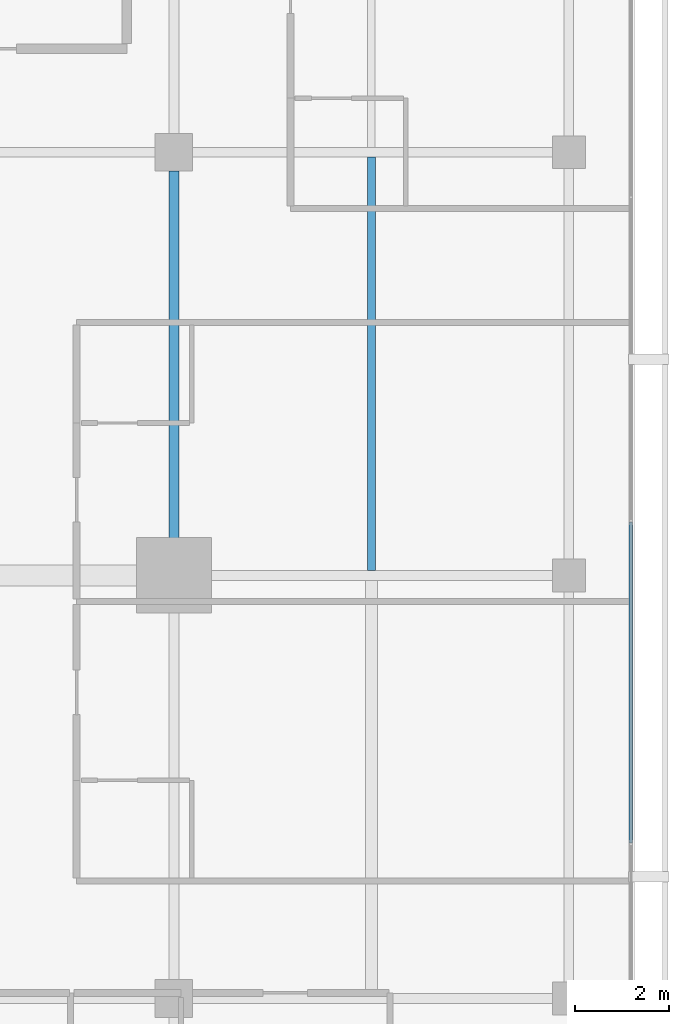
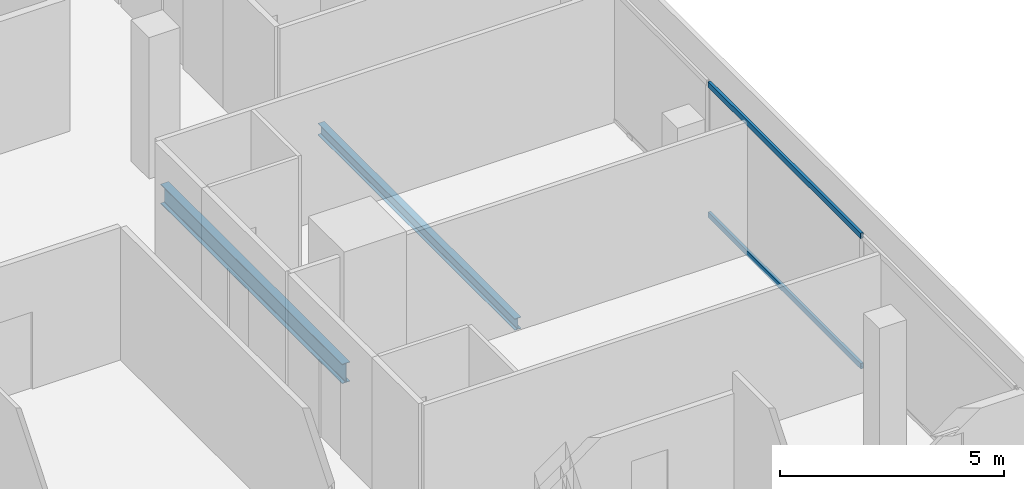
# One storey, part 13 of 25: 2 beams, 2 members, 1 element without a shape of its own.
"""IFC4 building model written with IfcOpenShell, lengths in metres."""

from ifc_helpers import new_model, si_unit, direction, frame, origin, origin_2d, place, context, subcontext, project, spatial, hollow_rectangle, i_section, extrude, material, layer, layer_set, material_profile, profile_set, type_object, element, aggregate, save


model = new_model("IFC4")

# Units and contexts
model_context = context("Model", 3, precision=1e-05, world=origin(), true_north=direction((0.0, 1.0)))
body_context = subcontext(model_context, "Body", "Model", "MODEL_VIEW")
ifc_project = project(units=[si_unit("LENGTHUNIT", "METRE"), si_unit("AREAUNIT", "SQUARE_METRE"), si_unit("VOLUMEUNIT", "CUBIC_METRE"), si_unit("PLANEANGLEUNIT", "RADIAN"), si_unit("MASSUNIT", "GRAM", prefix="KILO")], contexts=[model_context])

# Site, building, storey
site_placement = place(None, origin())
site = spatial("IfcSite", under=ifc_project, at=site_placement, CompositionType="ELEMENT")
building_placement = place(site_placement, origin())
building = spatial("IfcBuilding", under=site, at=building_placement, Name="Maruvema Waterfront Hotel and Observation Tower", CompositionType="ELEMENT")
storey_placement = place(building_placement, frame((0.0, 0.0, 270.199951171875)))
storey = spatial("IfcBuildingStorey", under=building, at=storey_placement, Name="L66", CompositionType="ELEMENT", Elevation=270.199951171875)

# Curtain wall, members
ifc_material_1 = material(Name="Anodised bronze aluminium and solar-control low-E IGU", Category="aluminium")
ifc_layer = layer(ifc_material_1, 0.159912109375, Name="Zone 3 Champagne Inner Thermal Curtain Wall System CW-04")
ifc_layer_set = layer_set([ifc_layer], Name="Anodised bronze aluminium and solar-control low-E IGU")
curtain_wall_type = type_object("IfcCurtainWallType", Name="Zone 3 Champagne Inner Thermal Curtain Wall System CW-04", PredefinedType="USERDEFINED", material=ifc_layer_set)
curtain_wall_placement = place(storey_placement, origin())
curtain_wall = element("IfcCurtainWall", 1, at=curtain_wall_placement, inside=storey, type_object=curtain_wall_type, Name="L66 Curtain Wall CW-L66-E", ObjectType="UNITISED CURTAIN WALL", PredefinedType="USERDEFINED")
ifc_material_2 = material(Name="Anodised architectural bronze aluminium", Category="aluminium")
ifc_material_profile_1 = material_profile(ifc_material_2, hollow_rectangle(XDim=0.070068359375, YDim=0.14990234375, WallThickness=0.00390625, at=origin_2d()), Name="ALU-T70x150")
ifc_profile_set_1 = profile_set([ifc_material_profile_1], Name="Anodised architectural bronze aluminium")
member_type = type_object("IfcMemberType", Name="Curtain Wall Horizontal Transom ALU-T70x150", PredefinedType="USERDEFINED", material=ifc_profile_set_1)
member_1_placement = place(storey_placement, frame((60.1201171875, 21.31005859375, 0.030029296875), z_axis=(0.0, 1.0, 0.0), x_axis=(-1.0, 0.0, 0.0)))
member_1 = element("IfcMember", 2, at=member_1_placement, type_object=member_type, Name="CW-04 transom 2.1", ObjectType="TRANSOM", PredefinedType="USERDEFINED", context=body_context, shape_type="SweptSolid", body=[
    extrude(hollow_rectangle(XDim=0.070068359375, YDim=0.14990234375, WallThickness=0.00390625, at=origin_2d()), origin(), (0.0, 0.0, 1.0), 6.81982421875),
])
member_2_placement = place(storey_placement, frame((60.1201171875, 21.31005859375, 3.580078125), z_axis=(0.0, 1.0, 0.0), x_axis=(-1.0, 0.0, 0.0)))
member_2 = element("IfcMember", 3, at=member_2_placement, type_object=member_type, Name="CW-04 transom 2.2", ObjectType="TRANSOM", PredefinedType="USERDEFINED", context=body_context, shape_type="SweptSolid", body=[
    extrude(hollow_rectangle(XDim=0.070068359375, YDim=0.14990234375, WallThickness=0.00390625, at=origin_2d()), origin(), (0.0, 0.0, 1.0), 6.81982421875),
])
aggregate(curtain_wall, [member_1, member_2])

# Beams
ifc_material_3 = material(Name="Steel ASTM A572 Grade 50", Category="steel")
ifc_material_profile_2 = material_profile(ifc_material_3, i_section(OverallWidth=0.208984375, OverallDepth=0.532958984375, WebThickness=0.01025390625, FlangeThickness=0.015625, FilletRadius=0.014892578125, at=origin_2d()), Name="W530x92.0")
ifc_profile_set_2 = profile_set([ifc_material_profile_2], Name="Steel ASTM A572 Grade 50")
beam_type_1 = type_object("IfcBeamType", Name="Primary Floor Girder W530x92.0", PredefinedType="BEAM", material=ifc_profile_set_2)
beam_1_placement = place(storey_placement, frame((50.39990234375, 27.5, -0.50634765625), z_axis=(0.0, 1.0, 0.0), x_axis=(-1.0, 0.0, 0.0)))
element("IfcBeam", 4, at=beam_1_placement, inside=storey, type_object=beam_type_1, Name="L66 Floor Girder NS-14", PredefinedType="BEAM", context=body_context, shape_type="SweptSolid", body=[
    extrude(i_section(OverallWidth=0.208984375, OverallDepth=0.532958984375, WebThickness=0.01025390625, FlangeThickness=0.015625, FilletRadius=0.014892578125, at=origin_2d()), origin(), (0.0, 0.0, 1.0), 8.10009765625),
])
ifc_material_4 = material(Name="Steel ASTM A572 Grade 50", Category="steel")
ifc_material_profile_3 = material_profile(ifc_material_4, i_section(OverallWidth=0.1669921875, OverallDepth=0.31689453125, WebThickness=0.007568359375, FlangeThickness=0.01318359375, FilletRadius=0.012939453125, at=origin_2d()), Name="W310x52.0")
ifc_profile_set_3 = profile_set([ifc_material_profile_3], Name="Steel ASTM A572 Grade 50")
beam_type_2 = type_object("IfcBeamType", Name="Secondary Floor Joist W310x52.0", PredefinedType="JOIST", material=ifc_profile_set_3)
beam_2_placement = place(storey_placement, frame((54.60009765625, 27.1044921875, -0.3984375), z_axis=(0.0, 1.0, 0.0), x_axis=(-1.0, 0.0, 0.0)))
element("IfcBeam", 5, at=beam_2_placement, inside=storey, type_object=beam_type_2, Name="L66 Secondary Floor Joist JS-08", PredefinedType="JOIST", context=body_context, shape_type="SweptSolid", body=[
    extrude(i_section(OverallWidth=0.1669921875, OverallDepth=0.31689453125, WebThickness=0.007568359375, FlangeThickness=0.01318359375, FilletRadius=0.012939453125, at=origin_2d()), origin(), (0.0, 0.0, 1.0), 8.791015625),
])

save(model, "model.ifc")
